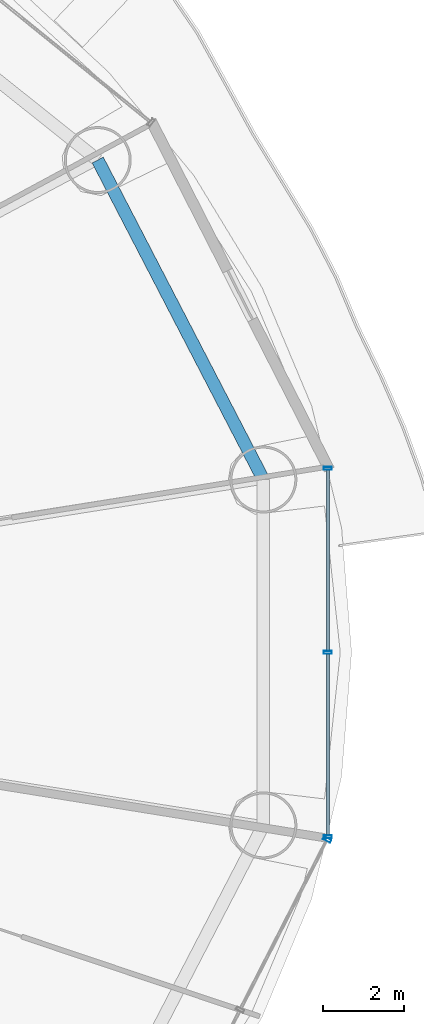
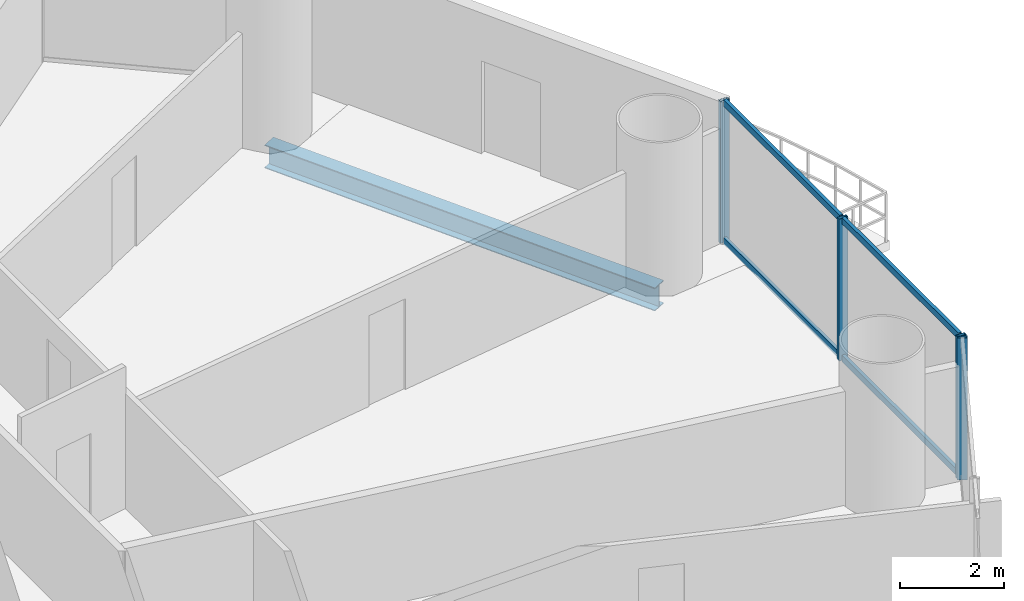
# One storey, part 14 of 30: 8 members, 1 beam, 2 elements without a shape of their own.
"""IFC4 building model written with IfcOpenShell, lengths in metres."""

import ifcopenshell
import ifcopenshell.guid

model = None  # the IFC model being written
_history = None  # IfcOwnerHistory: only IFC2X3 demands one
_inside = {}  # id of a spatial element -> (the spatial element, [elements in it])
_under = {}  # id of a project, library or spatial element -> (it, [spatial elements below it])
_declared = {}  # id of a project -> (the project, [libraries it declares])
_typed = {}  # id of a type object -> (the type object, [elements of that type])
_made_of = {}  # id of a material, layer set ... -> (it, [elements and type objects made of it])


def new_model(schema):
    """Start an empty IFC model of exactly this schema.

    Asked for "IFC4X3", IfcOpenShell would pick the latest addendum, in which some entities
    have other attributes; the version numbers below select the first issue.
    IFC2X3 requires an IfcOwnerHistory on every rooted entity: one is made here for all.
    """
    global model, _history
    if schema == "IFC4X3":
        model = ifcopenshell.file(schema_version=(4, 3, 0, 0))
    else:
        model = ifcopenshell.file(schema=schema)
    _inside.clear()
    _under.clear()
    _declared.clear()
    _typed.clear()
    _made_of.clear()
    _history = None
    if model.schema == "IFC2X3":
        org = make("IfcOrganization", Name="unknown")
        user = make(
            "IfcPersonAndOrganization",
            ThePerson=make("IfcPerson", FamilyName="unknown"),
            TheOrganization=org,
        )
        app = make(
            "IfcApplication",
            ApplicationDeveloper=org,
            Version="unknown",
            ApplicationFullName="unknown",
            ApplicationIdentifier="unknown",
        )
        _history = make(
            "IfcOwnerHistory",
            OwningUser=user,
            OwningApplication=app,
            ChangeAction="ADDED",
            CreationDate=0,
        )
    return model


def make(cls, **values):
    """One entity of the class cls with the attributes given. An attribute that is None is left unset."""
    return model.create_entity(
        cls, **{name: value for name, value in values.items() if value is not None}
    )


def rooted(cls, **values):
    """An entity with a GlobalId (a new one), such as an element, a storey or a relation."""
    return make(cls, GlobalId=ifcopenshell.guid.new(), OwnerHistory=_history, **values)


def si_unit(unit_type, name, prefix=None):
    """IfcSIUnit, for example si_unit("LENGTHUNIT", "METRE", prefix="MILLI")."""
    return make("IfcSIUnit", UnitType=unit_type, Prefix=prefix, Name=name)


def assignment(units):
    """IfcUnitAssignment: the units of a project."""
    return None if units is None else make("IfcUnitAssignment", Units=units)


def point(xyz):
    """IfcCartesianPoint."""
    return None if xyz is None else make("IfcCartesianPoint", Coordinates=xyz)


def direction(xyz):
    """IfcDirection."""
    return None if xyz is None else make("IfcDirection", DirectionRatios=xyz)


def frame(location, z_axis=None, x_axis=None):
    """IfcAxis2Placement3D, a coordinate frame: its origin and axes. An axis left out is left unset."""
    return make(
        "IfcAxis2Placement3D",
        Location=point(location),
        Axis=direction(z_axis),
        RefDirection=direction(x_axis),
    )


def frame_2d(location, x_axis=None):
    """IfcAxis2Placement2D, a coordinate frame in the plane: its origin and x axis."""
    return make(
        "IfcAxis2Placement2D", Location=point(location), RefDirection=direction(x_axis)
    )


def origin():
    """The frame at (0, 0, 0) with its axes left unset."""
    return frame((0.0, 0.0, 0.0))


def origin_2d():
    """The frame at (0, 0) in the plane with its x axis left unset."""
    return frame_2d((0.0, 0.0))


def place(relative_to, where):
    """IfcLocalPlacement: puts the frame where relative to a parent placement (None: the world)."""
    return make(
        "IfcLocalPlacement", PlacementRelTo=relative_to, RelativePlacement=where
    )


def context(
    kind, dimensions, precision=None, world=None, true_north=None, identifier=None
):
    """IfcGeometricRepresentationContext, for example the 3D "Model" context."""
    return make(
        "IfcGeometricRepresentationContext",
        ContextIdentifier=identifier,
        ContextType=kind,
        CoordinateSpaceDimension=dimensions,
        Precision=precision,
        WorldCoordinateSystem=world,
        TrueNorth=true_north,
    )


def subcontext(parent, identifier, kind, view, scale=None):
    """IfcGeometricRepresentationSubContext, for example "Body" below "Model"."""
    return make(
        "IfcGeometricRepresentationSubContext",
        ContextIdentifier=identifier,
        ContextType=kind,
        ParentContext=parent,
        TargetScale=scale,
        TargetView=view,
    )


def project(units=None, contexts=None):
    """IfcProject with its units and contexts."""
    return rooted(
        "IfcProject",
        Name="project",
        RepresentationContexts=contexts,
        UnitsInContext=assignment(units),
    )


def spatial(cls, under=None, at=None, **own):
    """A site, building, storey or space (cls), placed at a placement, below another one or the project."""
    s = rooted(cls, ObjectPlacement=at, **own)
    if under is not None:
        _under.setdefault(under.id(), (under, []))[1].append(s)
    return s


def profile(cls, at=None, kind="AREA", **sizes):
    """A parametric profile (cls). Its sizes go by their IFC names, for example OverallWidth=200.0."""
    return make(cls, ProfileType=kind, Position=at, **sizes)


def hollow_rectangle(**sizes):
    """IfcRectangleHollowProfileDef."""
    return profile("IfcRectangleHollowProfileDef", **sizes)


def i_section(**sizes):
    """IfcIShapeProfileDef."""
    return profile("IfcIShapeProfileDef", **sizes)


def extrude(swept, where, along, depth):
    """IfcExtrudedAreaSolid: the profile swept, set in the frame where, extruded along a direction by depth."""
    return make(
        "IfcExtrudedAreaSolid",
        SweptArea=swept,
        Position=where,
        ExtrudedDirection=direction(along),
        Depth=depth,
    )


def shape(context_of_items, identifier, shape_type, items):
    """IfcShapeRepresentation: the items that make up one representation, for example the "Body"."""
    return make(
        "IfcShapeRepresentation",
        ContextOfItems=context_of_items,
        RepresentationIdentifier=identifier,
        RepresentationType=shape_type,
        Items=items,
    )


def source(mapping_origin, context_of_items, identifier, shape_type, items):
    """IfcRepresentationMap: a shape defined once, which mapped items show again and again."""
    return make(
        "IfcRepresentationMap",
        MappingOrigin=mapping_origin,
        MappedRepresentation=shape(context_of_items, identifier, shape_type, items),
    )


def transform(
    local_origin,
    x_axis=None,
    y_axis=None,
    z_axis=None,
    scale=None,
    scale2=None,
    scale3=None,
    uniform=True,
):
    """IfcCartesianTransformationOperator3D, or its non-uniform kind. x_axis, y_axis, z_axis: its Axis1, 2, 3."""
    if uniform:
        return make(
            "IfcCartesianTransformationOperator3D",
            Axis1=direction(x_axis),
            Axis2=direction(y_axis),
            LocalOrigin=point(local_origin),
            Scale=scale,
            Axis3=direction(z_axis),
        )
    return make(
        "IfcCartesianTransformationOperator3DnonUniform",
        Axis1=direction(x_axis),
        Axis2=direction(y_axis),
        LocalOrigin=point(local_origin),
        Scale=scale,
        Axis3=direction(z_axis),
        Scale2=scale2,
        Scale3=scale3,
    )


def mapped(mapping_source, mapping_target):
    """IfcMappedItem: shows the shape of a source again, moved by a transform."""
    return make(
        "IfcMappedItem", MappingSource=mapping_source, MappingTarget=mapping_target
    )


def material(Name=None, Category=None):
    """IfcMaterial."""
    return make("IfcMaterial", Name=Name, Category=Category)


def material_profile(
    of_material, cross_section, Name=None, Category=None, Priority=None
):
    """IfcMaterialProfile: a cross section and its material."""
    return make(
        "IfcMaterialProfile",
        Name=Name,
        Material=of_material,
        Profile=cross_section,
        Priority=Priority,
        Category=Category,
    )


def profile_set(profiles, Name=None, composite=None):
    """IfcMaterialProfileSet."""
    return make(
        "IfcMaterialProfileSet",
        Name=Name,
        MaterialProfiles=profiles,
        CompositeProfile=composite,
    )


def made_of(thing, what):
    """Note that an element or type object is made of a material, layer set ...; save() writes the relation."""
    if what is not None:
        _made_of.setdefault(what.id(), (what, []))[1].append(thing)
    return thing


def type_object(cls, material=None, **own):
    """A type object (cls), such as IfcWallType, which elements share."""
    return made_of(rooted(cls, **own), material)


def element(
    cls,
    number,
    at=None,
    inside=None,
    cuts=None,
    type_object=None,
    material=None,
    context=None,
    identifier="Body",
    shape_type=None,
    held_by="IfcProductDefinitionShape",
    body=None,
    shapes=None,
    **own,
):
    """One element of the class cls, such as IfcWall. Its Tag is "e" and its number.

    at: its placement. inside: the storey or other place that contains it. cuts: it is an
    opening in that element (IfcRelVoidsElement). A single representation is given by context,
    identifier, shape_type and body (its items); several are given by shapes. held_by: the class
    of the entity that holds the representations. save() writes the other relations.
    """
    e = rooted(cls, Tag="e%d" % number, ObjectPlacement=at, **own)
    if body is not None:
        shapes = [shape(context, identifier, shape_type, body)]
    if shapes is not None:
        e.Representation = make(held_by, Representations=shapes)
    if inside is not None:
        _inside.setdefault(inside.id(), (inside, []))[1].append(e)
    if cuts is not None:
        rooted(
            "IfcRelVoidsElement", RelatingBuildingElement=cuts, RelatedOpeningElement=e
        )
    if type_object is not None:
        _typed.setdefault(type_object.id(), (type_object, []))[1].append(e)
    return made_of(e, material)


def aggregate(whole, parts):
    """IfcRelAggregates: a whole, such as a stair, and the parts it consists of."""
    return rooted("IfcRelAggregates", RelatingObject=whole, RelatedObjects=parts)


def save(model, path):
    """Write the relations noted so far, then the file.

    IfcRelAggregates (storeys below a building ...), IfcRelContainedInSpatialStructure (elements
    in a storey), IfcRelDefinesByType, IfcRelAssociatesMaterial and IfcRelDeclares: one each for
    every whole, place, type object, material and project.
    """
    for whole, parts in _under.values():
        aggregate(whole, parts)
    for where, things in _inside.values():
        rooted(
            "IfcRelContainedInSpatialStructure",
            RelatedElements=things,
            RelatingStructure=where,
        )
    for kind, things in _typed.values():
        rooted("IfcRelDefinesByType", RelatedObjects=things, RelatingType=kind)
    for what, things in _made_of.values():
        rooted("IfcRelAssociatesMaterial", RelatedObjects=things, RelatingMaterial=what)
    for by, libraries in _declared.values():
        rooted("IfcRelDeclares", RelatingContext=by, RelatedDefinitions=libraries)
    model.write(path)


model = new_model("IFC4")

# Units and contexts
model_context = context("Model", 3, precision=1e-05, world=origin(), true_north=direction((-0.2419218956, 0.970295726276)))
body_context = subcontext(model_context, "Body", "Model", "MODEL_VIEW")
ifc_project = project(units=[si_unit("LENGTHUNIT", "METRE"), si_unit("AREAUNIT", "SQUARE_METRE"), si_unit("VOLUMEUNIT", "CUBIC_METRE"), si_unit("PLANEANGLEUNIT", "RADIAN"), si_unit("MASSUNIT", "GRAM", prefix="KILO")], contexts=[model_context])

# Site, building, storey
site_placement = place(None, origin())
site = spatial("IfcSite", under=ifc_project, at=site_placement, CompositionType="ELEMENT")
building_placement = place(site_placement, origin())
building = spatial("IfcBuilding", under=site, at=building_placement, Name="Cobrevalo Terracotta Tower", CompositionType="ELEMENT")
storey_placement = place(building_placement, frame((0.0, 0.0, 31.199951171875)))
storey = spatial("IfcBuildingStorey", under=building, at=storey_placement, Name="L07", CompositionType="ELEMENT", Elevation=31.199951171875)

# Beam
ifc_material_1 = material(Name="Steel S355", Category="steel")
ifc_material_profile_1 = material_profile(ifc_material_1, i_section(OverallWidth=0.31201171875, OverallDepth=0.54296875, WebThickness=0.0126953125, FlangeThickness=0.020263671875, at=origin_2d()), Name="W 530x150")
ifc_profile_set_1 = profile_set([ifc_material_profile_1], Name="Steel S355")
beam_type = type_object("IfcBeamType", Name="Structural Spandrel W 530x150 (Steel S355)", PredefinedType="SPANDREL", material=ifc_profile_set_1)
beam_placement = place(storey_placement, frame((64.824462890625, 31.062744140625, -0.551513671875), z_axis=(-0.460285838799, 0.88777077368, 0.0), x_axis=(-0.88777077368, -0.460285838799, 0.0)))
element("IfcBeam", 1, at=beam_placement, inside=storey, type_object=beam_type, Name="L07 perimeter ring spandrel 01", PredefinedType="SPANDREL", context=body_context, shape_type="SweptSolid", body=[
    extrude(i_section(OverallWidth=0.31201171875, OverallDepth=0.54296875, WebThickness=0.0126953125, FlangeThickness=0.020263671875, at=origin_2d()), origin(), (0.0, 0.0, 1.0), 8.8720703125),
])

# Curtain wall, member
ifc_material_2 = material(Name="Anodized aluminium", Category="aluminium")
curtain_wall_type = type_object("IfcCurtainWallType", Name="Lower-tower unitised acoustic low-E curtain wall CW-U1", PredefinedType="NOTDEFINED", material=ifc_material_2)
curtain_wall_1_placement = place(storey_placement, origin())
curtain_wall_1 = element("IfcCurtainWall", 2, at=curtain_wall_1_placement, inside=storey, type_object=curtain_wall_type, Name="L07 curtain wall CW-L07-S15", PredefinedType="NOTDEFINED")
ifc_material_profile_2 = material_profile(ifc_material_2, hollow_rectangle(XDim=0.074951171875, YDim=0.199951171875, WallThickness=0.0048828125, at=origin_2d()), Name="CWM 75x200")
ifc_profile_set_2 = profile_set([ifc_material_profile_2], Name="Anodized aluminium")
member_type_1 = type_object("IfcMemberType", Name="Lower/mid tower unitised mullion 75x200", PredefinedType="MULLION", material=ifc_profile_set_2)
shared_shape_1 = source(origin(), body_context, "Body", "SweptSolid", [
    extrude(hollow_rectangle(XDim=0.074951171875, YDim=0.199951171875, WallThickness=0.0048828125, at=origin_2d()), origin(), (0.0, 0.0, 1.0), 3.320068359375),
])
member_1_placement = place(storey_placement, frame((66.39501953125, 22.185546875, 0.0), z_axis=(0.0, 0.0, 1.0), x_axis=(0.455234136597, 0.890371765543, 0.0)))
member_1 = element("IfcMember", 3, at=member_1_placement, type_object=member_type_1, Name="CW-L07-S15 vertical mullion 03", PredefinedType="MULLION", context=body_context, shape_type="MappedRepresentation", body=[
    mapped(shared_shape_1, transform((0.0, 0.0, 0.0), scale=1.0)),
])
aggregate(curtain_wall_1, [member_1])

# Curtain wall, members
curtain_wall_2_placement = place(storey_placement, origin())
curtain_wall_2 = element("IfcCurtainWall", 4, at=curtain_wall_2_placement, inside=storey, type_object=curtain_wall_type, Name="L07 curtain wall CW-L07-S16", PredefinedType="NOTDEFINED")
member_2_placement = place(storey_placement, frame((66.413330078125, 22.26123046875, 0.0), z_axis=(0.0, 0.0, 1.0), x_axis=(0.0, 1.0, 0.0)))
member_2 = element("IfcMember", 5, at=member_2_placement, type_object=member_type_1, Name="CW-L07-S16 vertical mullion 01", PredefinedType="MULLION", context=body_context, shape_type="MappedRepresentation", body=[
    mapped(shared_shape_1, transform((0.0, 0.0, 0.0), scale=1.0)),
])
member_3_placement = place(storey_placement, frame((66.413330078125, 26.800048828125, 0.0), z_axis=(0.0, 0.0, 1.0), x_axis=(0.0, 1.0, 0.0)))
member_3 = element("IfcMember", 6, at=member_3_placement, type_object=member_type_1, Name="CW-L07-S16 vertical mullion 02", PredefinedType="MULLION", context=body_context, shape_type="MappedRepresentation", body=[
    mapped(shared_shape_1, transform((0.0, 0.0, 0.0), scale=1.0)),
])
member_4_placement = place(storey_placement, frame((66.413330078125, 31.3388671875, 0.0), z_axis=(0.0, 0.0, 1.0), x_axis=(0.0, 1.0, 0.0)))
member_4 = element("IfcMember", 7, at=member_4_placement, type_object=member_type_1, Name="CW-L07-S16 vertical mullion 03", PredefinedType="MULLION", context=body_context, shape_type="MappedRepresentation", body=[
    mapped(shared_shape_1, transform((0.0, 0.0, 0.0), scale=1.0)),
])
ifc_material_profile_3 = material_profile(ifc_material_2, hollow_rectangle(XDim=0.074951171875, YDim=0.14990234375, WallThickness=0.00439453125, at=origin_2d()), Name="CWT 75x150")
ifc_profile_set_3 = profile_set([ifc_material_profile_3], Name="Anodized aluminium")
member_type_2 = type_object("IfcMemberType", Name="Tower unitised aluminium transom 75x150", PredefinedType="USERDEFINED", material=ifc_profile_set_3)
shared_shape_2 = source(origin(), body_context, "Body", "SweptSolid", [
    extrude(hollow_rectangle(XDim=0.074951171875, YDim=0.14990234375, WallThickness=0.00439453125, at=origin_2d()), origin(), (0.0, 0.0, 1.0), 4.458740234375),
])
member_5_placement = place(storey_placement, frame((66.413330078125, 22.30126953125, 0.050048828125), z_axis=(0.0, 1.0, 0.0), x_axis=(-1.0, 0.0, 0.0)))
member_5 = element("IfcMember", 8, at=member_5_placement, type_object=member_type_2, Name="CW-L07-S16 transom B01-T1", ObjectType="TRANSOM", PredefinedType="USERDEFINED", context=body_context, shape_type="MappedRepresentation", body=[
    mapped(shared_shape_2, transform((0.0, 0.0, 0.0), scale=1.0)),
])
member_6_placement = place(storey_placement, frame((66.413330078125, 22.30126953125, 3.27001953125), z_axis=(0.0, 1.0, 0.0), x_axis=(-1.0, 0.0, 0.0)))
member_6 = element("IfcMember", 9, at=member_6_placement, type_object=member_type_2, Name="CW-L07-S16 transom B01-T2", ObjectType="TRANSOM", PredefinedType="USERDEFINED", context=body_context, shape_type="MappedRepresentation", body=[
    mapped(shared_shape_2, transform((0.0, 0.0, 0.0), scale=1.0)),
])
member_7_placement = place(storey_placement, frame((66.413330078125, 26.840087890625, 0.050048828125), z_axis=(0.0, 1.0, 0.0), x_axis=(-1.0, 0.0, 0.0)))
member_7 = element("IfcMember", 10, at=member_7_placement, type_object=member_type_2, Name="CW-L07-S16 transom B02-T1", ObjectType="TRANSOM", PredefinedType="USERDEFINED", context=body_context, shape_type="MappedRepresentation", body=[
    mapped(shared_shape_2, transform((0.0, 0.0, 0.0), scale=1.0)),
])
member_8_placement = place(storey_placement, frame((66.413330078125, 26.840087890625, 3.27001953125), z_axis=(0.0, 1.0, 0.0), x_axis=(-1.0, 0.0, 0.0)))
member_8 = element("IfcMember", 11, at=member_8_placement, type_object=member_type_2, Name="CW-L07-S16 transom B02-T2", ObjectType="TRANSOM", PredefinedType="USERDEFINED", context=body_context, shape_type="MappedRepresentation", body=[
    mapped(shared_shape_2, transform((0.0, 0.0, 0.0), scale=1.0)),
])
aggregate(curtain_wall_2, [member_2, member_3, member_4, member_5, member_6, member_7, member_8])

save(model, "model.ifc")
